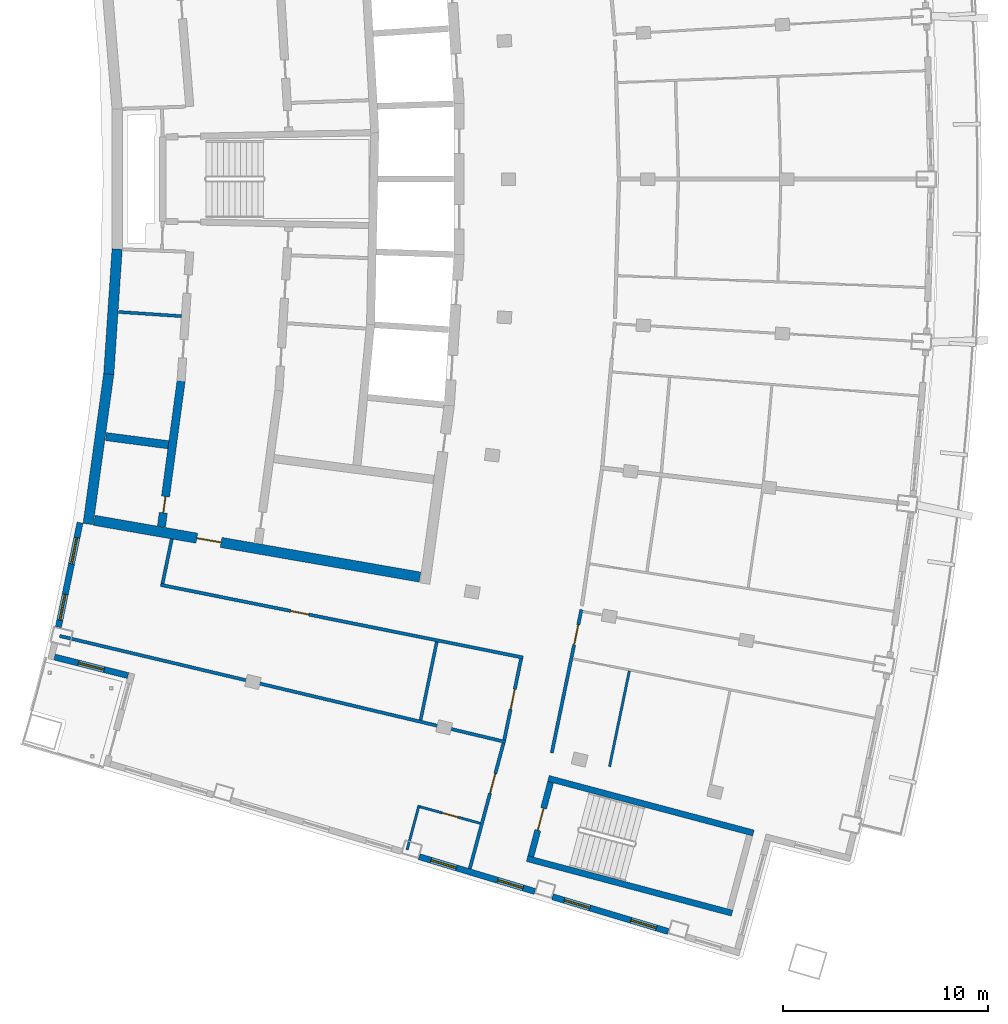
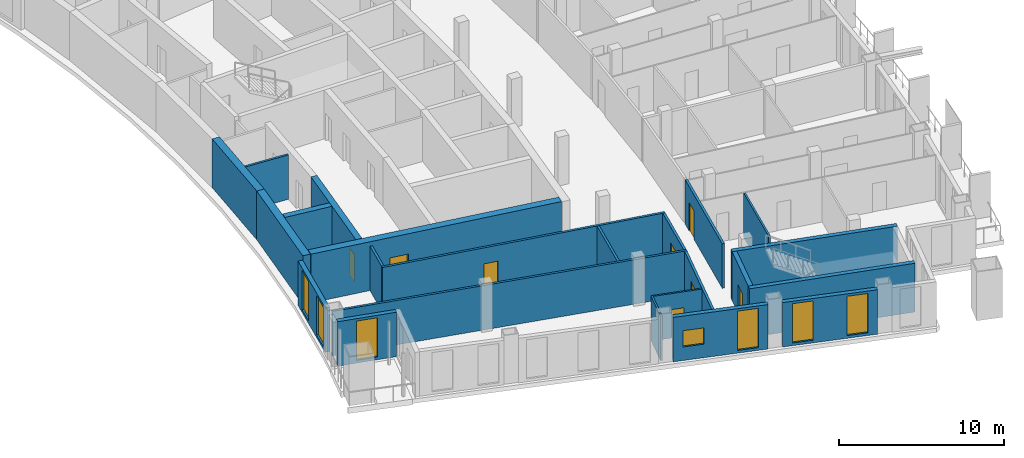
# One storey, part 7 of 17: 23 walls, 8 doors, 7 windows, 15 openings.
"""IFC4 building model written with IfcOpenShell, lengths in metres."""

from ifc_helpers import new_model, si_unit, direction, frame, frame_2d, origin, place, context, subcontext, project, spatial, rectangle, extrude, material, layer, layer_set, type_object, element, fill, save


model = new_model("IFC4")

# Units and contexts
model_context = context("Model", 3, precision=1e-05, world=origin(), true_north=direction((0.0, 1.0)))
body_context = subcontext(model_context, "Body", "Model", "MODEL_VIEW")
ifc_project = project(units=[si_unit("LENGTHUNIT", "METRE"), si_unit("AREAUNIT", "SQUARE_METRE"), si_unit("VOLUMEUNIT", "CUBIC_METRE"), si_unit("PLANEANGLEUNIT", "RADIAN"), si_unit("MASSUNIT", "GRAM", prefix="KILO")], contexts=[model_context])

# Site, building, storey
site_placement = place(None, origin())
site = spatial("IfcSite", under=ifc_project, at=site_placement, CompositionType="ELEMENT")
building_placement = place(site_placement, origin())
building = spatial("IfcBuilding", under=site, at=building_placement, Name="Alderwake Tower", CompositionType="ELEMENT")
storey_placement = place(building_placement, frame((0.0, 0.0, 270.800048828125)))
storey = spatial("IfcBuildingStorey", under=building, at=storey_placement, Name="L67", CompositionType="ELEMENT", Elevation=270.800048828125)

# Walls
ifc_material_1 = material(Name="Gypsum shaft wall system, rated")
ifc_layer_1 = layer(ifc_material_1, 0.14990234375)
ifc_layer_set_1 = layer_set([ifc_layer_1], Name="Core room partition 150")
wall_type_1 = type_object("IfcWallType", Name="Core room partition 150", PredefinedType="PARTITIONING", material=ifc_layer_set_1)
wall_1_placement = place(storey_placement, frame((16.7646484375, 54.512939453125, 0.0), z_axis=(0.0, 0.0, 1.0), x_axis=(0.997758318264, -0.066920388042, 0.0)))
element("IfcWall", 1, at=wall_1_placement, inside=storey, type_object=wall_type_1, Name="CW/L67/PR-70_+0", PredefinedType="PARTITIONING", context=body_context, shape_type="SweptSolid", body=[
    extrude(rectangle(XDim=3.068115234375, YDim=0.14990234375, at=frame_2d((1.5341796875, 0.0))), origin(), (0.0, 0.0, 1.0), 3.280029296875),
])
ifc_material_2 = material(Name="Concrete C70/85", Category="concrete")
ifc_layer_2 = layer(ifc_material_2, 0.5)
ifc_layer_set_2 = layer_set([ifc_layer_2], Name="Core wall outer 500 C70-85")
wall_type_2 = type_object("IfcWallType", Name="Core wall outer 500 C70-85", PredefinedType="SHEAR", material=ifc_layer_set_2)
wall_2_placement = place(storey_placement, frame((15.272216796875, 44.155029296875, 0.0), z_axis=(0.0, 0.0, 1.0), x_axis=(0.13632182908, 0.990664604655, 0.0)))
element("IfcWall", 2, at=wall_2_placement, inside=storey, type_object=wall_type_2, Name="Core wall CW.028", PredefinedType="SHEAR", context=body_context, shape_type="SweptSolid", body=[
    extrude(rectangle(XDim=7.408935546875, YDim=0.5, at=frame_2d((3.70458984375, 0.0))), origin(), (0.0, 0.0, 1.0), 3.599853515625),
])
wall_3_placement = place(storey_placement, frame((16.280517578125, 51.4765625, 0.0), z_axis=(0.0, 0.0, 1.0), x_axis=(0.066863022947, 0.997762164127, 0.0)))
element("IfcWall", 3, at=wall_3_placement, inside=storey, type_object=wall_type_2, Name="Core wall CW.027", PredefinedType="SHEAR", context=body_context, shape_type="SweptSolid", body=[
    extrude(rectangle(XDim=6.123291015625, YDim=0.5, at=frame_2d((3.0615234375, 0.0))), origin(), (0.0, 0.0, 1.0), 3.599853515625),
])

# Wall, opening, door
wall_4_placement = place(storey_placement, frame((31.47802734375, 41.564453125, 0.0), z_axis=(0.0, 0.0, 1.0), x_axis=(-0.985140274783, 0.171751678306, 0.0)))
wall_4 = element("IfcWall", 4, at=wall_4_placement, inside=storey, type_object=wall_type_2, Name="Core wall CW.072", PredefinedType="SHEAR", context=body_context, shape_type="SweptSolid", body=[
    extrude(rectangle(XDim=16.137939453125, YDim=0.5, at=frame_2d((8.06884765625, 0.0))), origin(), (0.0, 0.0, 1.0), 3.599853515625),
])
opening_1_placement = place(wall_4_placement, frame((9.859619140625, 0.0, 0.0)))
opening_1 = element("IfcOpeningElement", 5, at=opening_1_placement, cuts=wall_4, Name="Opening C003", PredefinedType="OPENING", context=body_context, shape_type="SweptSolid", body=[
    extrude(rectangle(XDim=1.199951171875, YDim=2.10009765625, at=frame_2d((0.60009765625, 1.050048828125))), frame((0.0, 0.260009765625, 0.0), z_axis=(0.0, -1.0, 0.0), x_axis=(1.0, 0.0, 0.0)), (0.0, 0.0, 1.0), 0.52001953125),
])
ifc_material_3 = material(Name="Steel-framed fire door leaf", Category="steel")
door_type_1 = type_object("IfcDoorType", Name="Core lobby exit door 1200 fire-rated", OperationType="SINGLE_SWING_LEFT", PredefinedType="DOOR", material=ifc_material_3)
door_1_placement = place(opening_1_placement, origin())
door_1 = element("IfcDoor", 6, at=door_1_placement, inside=storey, type_object=door_type_1, Name="Lobby door", OperationType="SINGLE_SWING_LEFT", OverallHeight=2.10009765625, OverallWidth=1.199951171875, PredefinedType="DOOR", context=body_context, shape_type="SweptSolid", body=[
    extrude(rectangle(XDim=1.199951171875, YDim=2.10009765625, at=frame_2d((0.60009765625, 1.050048828125))), frame((0.0, 0.02490234375, 0.0), z_axis=(0.0, -1.0, 0.0), x_axis=(1.0, 0.0, 0.0)), (0.0, 0.0, 1.0), 0.050048828125),
])
fill(opening_1, door_1)

ifc_material_4 = material(Name="Concrete C70/85", Category="concrete")
ifc_layer_3 = layer(ifc_material_4, 0.39990234375)
ifc_layer_set_3 = layer_set([ifc_layer_3], Name="Core wall spine 400 C70-85")
wall_type_3 = type_object("IfcWallType", Name="Core wall spine 400 C70-85", PredefinedType="SHEAR", material=ifc_layer_set_3)
wall_5_placement = place(storey_placement, frame((19.814697265625, 51.143798828125, 0.0), z_axis=(0.0, 0.0, 1.0), x_axis=(-0.133823115837, -0.991005233925, 0.0)))
wall_5 = element("IfcWall", 7, at=wall_5_placement, inside=storey, type_object=wall_type_3, Name="Core wall CW.033", PredefinedType="SHEAR", context=body_context, shape_type="SweptSolid", body=[
    extrude(rectangle(XDim=7.1787109375, YDim=0.39990234375, at=frame_2d((3.58935546875, 0.0))), origin(), (0.0, 0.0, 1.0), 3.599853515625),
])
opening_2_placement = place(wall_5_placement, frame((5.69677734375, 0.0, 0.0)))
opening_2 = element("IfcOpeningElement", 8, at=opening_2_placement, cuts=wall_5, Name="Opening C007", PredefinedType="OPENING", context=body_context, shape_type="SweptSolid", body=[
    extrude(rectangle(XDim=0.800048828125, YDim=2.0, at=frame_2d((0.39990234375, 1.0))), frame((0.0, 0.2099609375, 0.0), z_axis=(0.0, -1.0, 0.0), x_axis=(1.0, 0.0, 0.0)), (0.0, 0.0, 1.0), 0.419921875),
])
ifc_material_5 = material(Name="Painted steel leaf, rated", Category="steel")
door_type_2 = type_object("IfcDoorType", Name="Riser access door 800", OperationType="SINGLE_SWING_LEFT", PredefinedType="DOOR", material=ifc_material_5)
door_2_placement = place(opening_2_placement, origin())
door_2 = element("IfcDoor", 9, at=door_2_placement, inside=storey, type_object=door_type_2, Name="Riser access door", OperationType="SINGLE_SWING_LEFT", OverallHeight=2.0, OverallWidth=0.800048828125, PredefinedType="DOOR", context=body_context, shape_type="SweptSolid", body=[
    extrude(rectangle(XDim=0.800048828125, YDim=2.0, at=frame_2d((0.39990234375, 1.0))), frame((0.0, 0.02490234375, 0.0), z_axis=(0.0, -1.0, 0.0), x_axis=(1.0, 0.0, 0.0)), (0.0, 0.0, 1.0), 0.050048828125),
])
fill(opening_2, door_2)

# Walls
wall_6_placement = place(storey_placement, frame((16.142578125, 48.42529296875, 0.0), z_axis=(0.0, 0.0, 1.0), x_axis=(0.991550757989, -0.129719290517, 0.0)))
element("IfcWall", 10, at=wall_6_placement, inside=storey, type_object=wall_type_3, Name="Core wall CW.067", PredefinedType="SHEAR", context=body_context, shape_type="SweptSolid", body=[
    extrude(rectangle(XDim=3.0751953125, YDim=0.39990234375, at=frame_2d((1.53759765625, 0.0))), origin(), (0.0, 0.0, 1.0), 3.599853515625),
])
ifc_material_6 = material(Name="Concrete C70/85", Category="concrete")
ifc_layer_4 = layer(ifc_material_6, 0.300048828125)
ifc_layer_set_4 = layer_set([ifc_layer_4], Name="Core wall stair enclosure 300 C70-85")
wall_type_4 = type_object("IfcWallType", Name="Core wall stair enclosure 300 C70-85", PredefinedType="SHEAR", material=ifc_layer_set_4)
for number, where, z_axis, x_axis, name in (
    (11, (37.75390625, 31.731201171875, 0.0), (0.0, 0.0, 1.0), (0.966309214305, -0.257383958996, 0.0), "Core wall CW.086"),
    (12, (36.71142578125, 27.817626953125, 0.0), (0.0, 0.0, 1.0), (0.966309214305, -0.257383958996, 0.0), "Core wall CW.088"),
):
    element("IfcWall", number, at=place(storey_placement, frame(where, z_axis=z_axis, x_axis=x_axis)), inside=storey, type_object=wall_type_4, Name=name, PredefinedType="SHEAR", context=body_context, shape_type="SweptSolid", body=[
        extrude(rectangle(XDim=10.360107421875, YDim=0.300048828125, at=frame_2d((5.18017578125, 0.0))), origin(), (0.0, 0.0, 1.0), 3.599853515625),
    ])

# Wall, opening, door
wall_7_placement = place(storey_placement, frame((36.89501953125, 27.923828125, 0.0), z_axis=(0.0, 0.0, 1.0), x_axis=(0.257350630826, 0.966318090907, 0.0)))
wall_7 = element("IfcWall", 13, at=wall_7_placement, inside=storey, type_object=wall_type_4, Name="Core wall CW.087", PredefinedType="SHEAR", context=body_context, shape_type="SweptSolid", body=[
    extrude(rectangle(XDim=3.75, YDim=0.300048828125, at=frame_2d((1.875, 0.0))), origin(), (0.0, 0.0, 1.0), 3.599853515625),
])
opening_3_placement = place(wall_7_placement, frame((1.324951171875, 0.0, 0.0)))
opening_3 = element("IfcOpeningElement", 14, at=opening_3_placement, cuts=wall_7, Name="Opening C065", PredefinedType="OPENING", context=body_context, shape_type="SweptSolid", body=[
    extrude(rectangle(XDim=1.10009765625, YDim=2.10009765625, at=frame_2d((0.550048828125, 1.050048828125))), frame((0.0, 0.159912109375, 0.0), z_axis=(0.0, -1.0, 0.0), x_axis=(1.0, 0.0, 0.0)), (0.0, 0.0, 1.0), 0.320068359375),
])
ifc_material_7 = material(Name="Steel-framed fire door leaf", Category="steel")
door_type_3 = type_object("IfcDoorType", Name="Core stair door 1100 fire-rated", OperationType="SINGLE_SWING_LEFT", PredefinedType="DOOR", material=ifc_material_7)
door_3_placement = place(opening_3_placement, origin())
door_3 = element("IfcDoor", 15, at=door_3_placement, inside=storey, type_object=door_type_3, Name="Stair door", OperationType="SINGLE_SWING_LEFT", OverallHeight=2.10009765625, OverallWidth=1.10009765625, PredefinedType="DOOR", context=body_context, shape_type="SweptSolid", body=[
    extrude(rectangle(XDim=1.10009765625, YDim=2.10009765625, at=frame_2d((0.550048828125, 1.050048828125))), frame((0.0, 0.02490234375, 0.0), z_axis=(0.0, -1.0, 0.0), x_axis=(1.0, 0.0, 0.0)), (0.0, 0.0, 1.0), 0.050048828125),
])
fill(opening_3, door_3)

# Wall
ifc_material_8 = material(Name="Gypsum board on metal studs, rated")
ifc_layer_5 = layer(ifc_material_8, 0.159912109375)
ifc_layer_set_5 = layer_set([ifc_layer_5], Name="Corridor wall 160")
wall_type_5 = type_object("IfcWallType", Name="Corridor wall 160", PredefinedType="PARTITIONING", material=ifc_layer_set_5)
wall_8_placement = place(storey_placement, frame((13.884033203125, 38.68798828125, 0.0), z_axis=(0.0, 0.0, 1.0), x_axis=(0.972893462073, -0.231253781493, 0.0)))
element("IfcWall", 16, at=wall_8_placement, inside=storey, type_object=wall_type_5, Name="WL/L67/W06", PredefinedType="PARTITIONING", context=body_context, shape_type="SweptSolid", body=[
    extrude(rectangle(XDim=22.38037109375, YDim=0.159912109375, at=frame_2d((11.190185546875, 0.0))), origin(), (0.0, 0.0, 1.0), 3.280029296875),
])

# Wall, opening, door
wall_9_placement = place(storey_placement, frame((36.513427734375, 37.63427734375, 0.0), z_axis=(0.0, 0.0, 1.0), x_axis=(-0.980470254867, 0.1966674333, 0.0)))
wall_9 = element("IfcWall", 17, at=wall_9_placement, inside=storey, type_object=wall_type_5, Name="WL/L67/W07", PredefinedType="PARTITIONING", context=body_context, shape_type="SweptSolid", body=[
    extrude(rectangle(XDim=18.053466796875, YDim=0.159912109375, at=frame_2d((9.02685546875, 0.0))), origin(), (0.0, 0.0, 1.0), 3.280029296875),
])
opening_4_placement = place(wall_9_placement, frame((10.6767578125, 0.0, 0.0)))
opening_4 = element("IfcOpeningElement", 18, at=opening_4_placement, cuts=wall_9, Name="Opening R19-SBS1", PredefinedType="OPENING", context=body_context, shape_type="SweptSolid", body=[
    extrude(rectangle(XDim=0.89990234375, YDim=2.10009765625, at=frame_2d((0.449951171875, 1.050048828125))), frame((0.0, 0.08984375, 0.0), z_axis=(0.0, -1.0, 0.0), x_axis=(1.0, 0.0, 0.0)), (0.0, 0.0, 1.0), 0.179931640625),
])
ifc_material_9 = material(Name="Painted timber leaf", Category="wood")
door_type_4 = type_object("IfcDoorType", Name="Room door 900", OperationType="SINGLE_SWING_LEFT", PredefinedType="DOOR", material=ifc_material_9)
door_4_placement = place(opening_4_placement, origin())
door_4 = element("IfcDoor", 19, at=door_4_placement, inside=storey, type_object=door_type_4, Name="DR/L67/SBS1", OperationType="SINGLE_SWING_LEFT", OverallHeight=2.10009765625, OverallWidth=0.89990234375, PredefinedType="DOOR", context=body_context, shape_type="SweptSolid", body=[
    extrude(rectangle(XDim=0.89990234375, YDim=2.10009765625, at=frame_2d((0.449951171875, 1.050048828125))), frame((0.0, 0.02490234375, 0.0), z_axis=(0.0, -1.0, 0.0), x_axis=(1.0, 0.0, 0.0)), (0.0, 0.0, 1.0), 0.050048828125),
])
fill(opening_4, door_4)

# Wall
wall_10_placement = place(storey_placement, frame((19.35888671875, 43.430908203125, 0.0), z_axis=(0.0, 0.0, 1.0), x_axis=(-0.202554916658, -0.979270905183, 0.0)))
element("IfcWall", 20, at=wall_10_placement, inside=storey, type_object=wall_type_5, Name="WL/L67/W08", PredefinedType="PARTITIONING", context=body_context, shape_type="SweptSolid", body=[
    extrude(rectangle(XDim=2.229736328125, YDim=0.159912109375, at=frame_2d((1.11474609375, 0.0))), origin(), (0.0, 0.0, 1.0), 3.280029296875),
])

# Wall, opening, door
wall_11_placement = place(storey_placement, frame((33.912109375, 27.321044921875, 0.0), z_axis=(0.0, 0.0, 1.0), x_axis=(0.259370874835, 0.965777794986, 0.0)))
wall_11 = element("IfcWall", 21, at=wall_11_placement, inside=storey, type_object=wall_type_5, Name="WL/L67/W13", PredefinedType="PARTITIONING", context=body_context, shape_type="SweptSolid", body=[
    extrude(rectangle(XDim=6.349853515625, YDim=0.159912109375, at=frame_2d((3.1748046875, 0.0))), origin(), (0.0, 0.0, 1.0), 3.280029296875),
])
opening_5_placement = place(wall_11_placement, frame((3.811279296875, 0.0, 0.0)))
opening_5 = element("IfcOpeningElement", 22, at=opening_5_placement, cuts=wall_11, Name="Opening R19-U07.1", PredefinedType="OPENING", context=body_context, shape_type="SweptSolid", body=[
    extrude(rectangle(XDim=1.0, YDim=2.10009765625, at=frame_2d((0.5, 1.050048828125))), frame((0.0, 0.08984375, 0.0), z_axis=(0.0, -1.0, 0.0), x_axis=(1.0, 0.0, 0.0)), (0.0, 0.0, 1.0), 0.179931640625),
])
ifc_material_10 = material(Name="Solid timber leaf in steel frame", Category="steel")
door_type_5 = type_object("IfcDoorType", Name="Flat entrance door 1000 fire-rated", OperationType="SINGLE_SWING_LEFT", PredefinedType="DOOR", material=ifc_material_10)
door_5_placement = place(opening_5_placement, origin())
door_5 = element("IfcDoor", 23, at=door_5_placement, inside=storey, type_object=door_type_5, Name="DR/L67/U07.1", OperationType="SINGLE_SWING_LEFT", OverallHeight=2.10009765625, OverallWidth=1.0, PredefinedType="DOOR", context=body_context, shape_type="SweptSolid", body=[
    extrude(rectangle(XDim=1.0, YDim=2.10009765625, at=frame_2d((0.5, 1.050048828125))), frame((0.0, 0.02490234375, 0.0), z_axis=(0.0, -1.0, 0.0), x_axis=(1.0, 0.0, 0.0)), (0.0, 0.0, 1.0), 0.050048828125),
])
fill(opening_5, door_5)

wall_12_placement = place(storey_placement, frame((35.59619140625, 33.609375, 0.0), z_axis=(0.0, 0.0, 1.0), x_axis=(0.203245920818, 0.979127721838, 0.0)))
wall_12 = element("IfcWall", 24, at=wall_12_placement, inside=storey, type_object=wall_type_5, Name="WL/L67/W16", PredefinedType="PARTITIONING", context=body_context, shape_type="SweptSolid", body=[
    extrude(rectangle(XDim=4.046875, YDim=0.159912109375, at=frame_2d((2.0234375, 0.0))), origin(), (0.0, 0.0, 1.0), 3.280029296875),
])
opening_6_placement = place(wall_12_placement, frame((1.5234375, 0.0, 0.0)))
opening_6 = element("IfcOpeningElement", 25, at=opening_6_placement, cuts=wall_12, Name="Opening R19-SBS2", PredefinedType="OPENING", context=body_context, shape_type="SweptSolid", body=[
    extrude(rectangle(XDim=1.0, YDim=2.10009765625, at=frame_2d((0.5, 1.050048828125))), frame((0.0, 0.08984375, 0.0), z_axis=(0.0, -1.0, 0.0), x_axis=(1.0, 0.0, 0.0)), (0.0, 0.0, 1.0), 0.179931640625),
])
ifc_material_11 = material(Name="Steel-framed fire door leaf", Category="steel")
door_type_6 = type_object("IfcDoorType", Name="Plant room door 1000 fire-rated", OperationType="SINGLE_SWING_LEFT", PredefinedType="DOOR", material=ifc_material_11)
door_6_placement = place(opening_6_placement, origin())
door_6 = element("IfcDoor", 26, at=door_6_placement, inside=storey, type_object=door_type_6, Name="DR/L67/SBS2", OperationType="SINGLE_SWING_LEFT", OverallHeight=2.10009765625, OverallWidth=1.0, PredefinedType="DOOR", context=body_context, shape_type="SweptSolid", body=[
    extrude(rectangle(XDim=1.0, YDim=2.10009765625, at=frame_2d((0.5, 1.050048828125))), frame((0.0, 0.02490234375, 0.0), z_axis=(0.0, -1.0, 0.0), x_axis=(1.0, 0.0, 0.0)), (0.0, 0.0, 1.0), 0.050048828125),
])
fill(opening_6, door_6)

wall_13_placement = place(storey_placement, frame((39.3642578125, 39.975341796875, 0.0), z_axis=(0.0, 0.0, 1.0), x_axis=(-0.202490391407, -0.979284249535, 0.0)))
wall_13 = element("IfcWall", 27, at=wall_13_placement, inside=storey, type_object=wall_type_5, Name="WL/L67/W18", PredefinedType="PARTITIONING", context=body_context, shape_type="SweptSolid", body=[
    extrude(rectangle(XDim=7.147216796875, YDim=0.159912109375, at=frame_2d((3.57373046875, 0.0))), origin(), (0.0, 0.0, 1.0), 3.280029296875),
])
opening_7_placement = place(wall_13_placement, frame((0.7568359375, 0.0, 0.0)))
opening_7 = element("IfcOpeningElement", 28, at=opening_7_placement, cuts=wall_13, Name="Opening R19-U03.2", PredefinedType="OPENING", context=body_context, shape_type="SweptSolid", body=[
    extrude(rectangle(XDim=1.0, YDim=2.10009765625, at=frame_2d((0.5, 1.050048828125))), frame((0.0, 0.08984375, 0.0), z_axis=(0.0, -1.0, 0.0), x_axis=(1.0, 0.0, 0.0)), (0.0, 0.0, 1.0), 0.179931640625),
])
door_7_placement = place(opening_7_placement, origin())
door_7 = element("IfcDoor", 29, at=door_7_placement, inside=storey, type_object=door_type_5, Name="DR/L67/U03.2", OperationType="SINGLE_SWING_LEFT", OverallHeight=2.10009765625, OverallWidth=1.0, PredefinedType="DOOR", context=body_context, shape_type="SweptSolid", body=[
    extrude(rectangle(XDim=1.0, YDim=2.10009765625, at=frame_2d((0.5, 1.050048828125))), frame((0.0, 0.02490234375, 0.0), z_axis=(0.0, -1.0, 0.0), x_axis=(1.0, 0.0, 0.0)), (0.0, 0.0, 1.0), 0.050048828125),
])
fill(opening_7, door_7)

# Wall, openings, windows
ifc_material_12 = material(Name="Precast concrete C50/60 spandrel panel", Category="concrete")
ifc_layer_6 = layer(ifc_material_12, 0.300048828125)
ifc_layer_set_6 = layer_set([ifc_layer_6], Name="External wall EW1 Precast concrete C50/60 spandrel")
wall_type_6 = type_object("IfcWallType", Name="External wall EW1 Precast concrete C50/60 spandrel", PredefinedType="SOLIDWALL", material=ifc_layer_set_6)
wall_14_placement = place(storey_placement, frame((14.878173828125, 44.223388671875, 0.0), z_axis=(0.0, 0.0, 1.0), x_axis=(-0.202760516883, -0.979228355795, 0.0)))
wall_14 = element("IfcWall", 30, at=wall_14_placement, inside=storey, type_object=wall_type_6, Name="External wall 32", PredefinedType="SOLIDWALL", context=body_context, shape_type="SweptSolid", body=[
    extrude(rectangle(XDim=5.211181640625, YDim=0.300048828125, at=frame_2d((2.60546875, 0.0))), origin(), (0.0, 0.0, 1.0), 3.280029296875),
])
opening_8_placement = place(wall_14_placement, frame((0.75634765625, 0.0, 0.199951171875)))
opening_8 = element("IfcOpeningElement", 31, at=opening_8_placement, cuts=wall_14, Name="Opening W1", PredefinedType="OPENING", context=body_context, shape_type="SweptSolid", body=[
    extrude(rectangle(XDim=1.300048828125, YDim=2.89990234375, at=frame_2d((0.64990234375, 1.449951171875))), frame((0.0, 0.159912109375, 0.0), z_axis=(0.0, -1.0, 0.0), x_axis=(1.0, 0.0, 0.0)), (0.0, 0.0, 1.0), 0.320068359375),
])
opening_9_placement = place(wall_14_placement, frame((3.569091796875, 0.0, 0.199951171875)))
opening_9 = element("IfcOpeningElement", 32, at=opening_9_placement, cuts=wall_14, Name="Opening W1", PredefinedType="OPENING", context=body_context, shape_type="SweptSolid", body=[
    extrude(rectangle(XDim=1.300048828125, YDim=2.89990234375, at=frame_2d((0.64990234375, 1.449951171875))), frame((0.0, 0.159912109375, 0.0), z_axis=(0.0, -1.0, 0.0), x_axis=(1.0, 0.0, 0.0)), (0.0, 0.0, 1.0), 0.320068359375),
])
ifc_material_13 = material(Name="Bronze tinted glass in aluminium frame", Category="aluminium")
window_type_1 = type_object("IfcWindowType", Name="Window W1 tall fixed and vent", PartitioningType="DOUBLE_PANEL_VERTICAL", PredefinedType="WINDOW", material=ifc_material_13)
window_1_placement = place(opening_8_placement, origin())
window_1 = element("IfcWindow", 33, at=window_1_placement, inside=storey, type_object=window_type_1, Name="Window W1 tall fixed and vent", OverallHeight=2.89990234375, OverallWidth=1.300048828125, PartitioningType="DOUBLE_PANEL_VERTICAL", PredefinedType="WINDOW", context=body_context, shape_type="SweptSolid", body=[
    extrude(rectangle(XDim=1.300048828125, YDim=2.89990234375, at=frame_2d((0.64990234375, 1.449951171875))), frame((0.0, 0.030029296875, 0.0), z_axis=(0.0, -1.0, 0.0), x_axis=(1.0, 0.0, 0.0)), (0.0, 0.0, 1.0), 0.06005859375),
])
fill(opening_8, window_1)
window_2_placement = place(opening_9_placement, origin())
window_2 = element("IfcWindow", 34, at=window_2_placement, inside=storey, type_object=window_type_1, Name="Window W1 tall fixed and vent", OverallHeight=2.89990234375, OverallWidth=1.300048828125, PartitioningType="DOUBLE_PANEL_VERTICAL", PredefinedType="WINDOW", context=body_context, shape_type="SweptSolid", body=[
    extrude(rectangle(XDim=1.300048828125, YDim=2.89990234375, at=frame_2d((0.64990234375, 1.449951171875))), frame((0.0, 0.030029296875, 0.0), z_axis=(0.0, -1.0, 0.0), x_axis=(1.0, 0.0, 0.0)), (0.0, 0.0, 1.0), 0.06005859375),
])
fill(opening_9, window_2)

# Wall, opening, window
ifc_material_14 = material(Name="Bronze metal cladding on lightweight framing")
ifc_layer_7 = layer(ifc_material_14, 0.300048828125)
ifc_layer_set_7 = layer_set([ifc_layer_7], Name="External wall EW2 bronze metal cladding")
wall_type_7 = type_object("IfcWallType", Name="External wall EW2 bronze metal cladding", PredefinedType="SOLIDWALL", material=ifc_layer_set_7)
wall_15_placement = place(storey_placement, frame((13.633056640625, 37.660400390625, 0.0), z_axis=(0.0, 0.0, 1.0), x_axis=(0.969417366605, -0.245417948254, 0.0)))
wall_15 = element("IfcWall", 35, at=wall_15_placement, inside=storey, type_object=wall_type_7, Name="External wall 2", PredefinedType="SOLIDWALL", context=body_context, shape_type="SweptSolid", body=[
    extrude(rectangle(XDim=3.70556640625, YDim=0.300048828125, at=frame_2d((1.852783203125, 0.0))), origin(), (0.0, 0.0, 1.0), 3.280029296875),
])
opening_10_placement = place(wall_15_placement, frame((1.202880859375, 0.0, 0.199951171875)))
opening_10 = element("IfcOpeningElement", 36, at=opening_10_placement, cuts=wall_15, Name="Opening W1", PredefinedType="OPENING", context=body_context, shape_type="SweptSolid", body=[
    extrude(rectangle(XDim=1.300048828125, YDim=2.89990234375, at=frame_2d((0.64990234375, 1.449951171875))), frame((0.0, 0.159912109375, 0.0), z_axis=(0.0, -1.0, 0.0), x_axis=(1.0, 0.0, 0.0)), (0.0, 0.0, 1.0), 0.320068359375),
])
window_3_placement = place(opening_10_placement, origin())
window_3 = element("IfcWindow", 37, at=window_3_placement, inside=storey, type_object=window_type_1, Name="Window W1 tall fixed and vent", OverallHeight=2.89990234375, OverallWidth=1.300048828125, PartitioningType="DOUBLE_PANEL_VERTICAL", PredefinedType="WINDOW", context=body_context, shape_type="SweptSolid", body=[
    extrude(rectangle(XDim=1.300048828125, YDim=2.89990234375, at=frame_2d((0.64990234375, 1.449951171875))), frame((0.0, 0.030029296875, 0.0), z_axis=(0.0, -1.0, 0.0), x_axis=(1.0, 0.0, 0.0)), (0.0, 0.0, 1.0), 0.06005859375),
])
fill(opening_10, window_3)

# Wall, openings, windows
wall_16_placement = place(storey_placement, frame((31.441162109375, 27.90771484375, 0.0), z_axis=(0.0, 0.0, 1.0), x_axis=(0.957753322858, -0.287590981349, 0.0)))
wall_16 = element("IfcWall", 38, at=wall_16_placement, inside=storey, type_object=wall_type_7, Name="External wall 6", PredefinedType="SOLIDWALL", context=body_context, shape_type="SweptSolid", body=[
    extrude(rectangle(XDim=5.896484375, YDim=0.300048828125, at=frame_2d((2.9482421875, 0.0))), origin(), (0.0, 0.0, 1.0), 3.280029296875),
])
opening_11_placement = place(wall_16_placement, frame((0.59814453125, 0.0, 1.0)))
opening_11 = element("IfcOpeningElement", 39, at=opening_11_placement, cuts=wall_16, Name="Opening W2", PredefinedType="OPENING", context=body_context, shape_type="SweptSolid", body=[
    extrude(rectangle(XDim=1.300048828125, YDim=1.199951171875, at=frame_2d((0.64990234375, 0.60009765625))), frame((0.0, 0.159912109375, 0.0), z_axis=(0.0, -1.0, 0.0), x_axis=(1.0, 0.0, 0.0)), (0.0, 0.0, 1.0), 0.320068359375),
])
opening_12_placement = place(wall_16_placement, frame((3.998291015625, 0.0, 0.199951171875)))
opening_12 = element("IfcOpeningElement", 40, at=opening_12_placement, cuts=wall_16, Name="Opening W1", PredefinedType="OPENING", context=body_context, shape_type="SweptSolid", body=[
    extrude(rectangle(XDim=1.300048828125, YDim=2.89990234375, at=frame_2d((0.64990234375, 1.449951171875))), frame((0.0, 0.159912109375, 0.0), z_axis=(0.0, -1.0, 0.0), x_axis=(1.0, 0.0, 0.0)), (0.0, 0.0, 1.0), 0.320068359375),
])
window_4_placement = place(opening_12_placement, origin())
window_4 = element("IfcWindow", 41, at=window_4_placement, inside=storey, type_object=window_type_1, Name="Window W1 tall fixed and vent", OverallHeight=2.89990234375, OverallWidth=1.300048828125, PartitioningType="DOUBLE_PANEL_VERTICAL", PredefinedType="WINDOW", context=body_context, shape_type="SweptSolid", body=[
    extrude(rectangle(XDim=1.300048828125, YDim=2.89990234375, at=frame_2d((0.64990234375, 1.449951171875))), frame((0.0, 0.030029296875, 0.0), z_axis=(0.0, -1.0, 0.0), x_axis=(1.0, 0.0, 0.0)), (0.0, 0.0, 1.0), 0.06005859375),
])
fill(opening_12, window_4)
ifc_material_15 = material(Name="Bronze tinted glass in aluminium frame", Category="aluminium")
window_type_2 = type_object("IfcWindowType", Name="Window W2 kitchen and bath", PartitioningType="SINGLE_PANEL", PredefinedType="WINDOW", material=ifc_material_15)
window_5_placement = place(opening_11_placement, origin())
window_5 = element("IfcWindow", 42, at=window_5_placement, inside=storey, type_object=window_type_2, Name="Window W2 kitchen and bath", OverallHeight=1.199951171875, OverallWidth=1.300048828125, PartitioningType="SINGLE_PANEL", PredefinedType="WINDOW", context=body_context, shape_type="SweptSolid", body=[
    extrude(rectangle(XDim=1.300048828125, YDim=1.199951171875, at=frame_2d((0.64990234375, 0.60009765625))), frame((0.0, 0.030029296875, 0.0), z_axis=(0.0, -1.0, 0.0), x_axis=(1.0, 0.0, 0.0)), (0.0, 0.0, 1.0), 0.06005859375),
])
fill(opening_11, window_5)

wall_17_placement = place(storey_placement, frame((37.953857421875, 25.952392578125, 0.0), z_axis=(0.0, 0.0, 1.0), x_axis=(0.957760170947, -0.287568174436, 0.0)))
wall_17 = element("IfcWall", 43, at=wall_17_placement, inside=storey, type_object=wall_type_7, Name="External wall 7", PredefinedType="SOLIDWALL", context=body_context, shape_type="SweptSolid", body=[
    extrude(rectangle(XDim=5.89697265625, YDim=0.300048828125, at=frame_2d((2.948486328125, 0.0))), origin(), (0.0, 0.0, 1.0), 3.280029296875),
])
opening_13_placement = place(wall_17_placement, frame((0.598388671875, 0.0, 0.199951171875)))
opening_13 = element("IfcOpeningElement", 44, at=opening_13_placement, cuts=wall_17, Name="Opening W1", PredefinedType="OPENING", context=body_context, shape_type="SweptSolid", body=[
    extrude(rectangle(XDim=1.300048828125, YDim=2.89990234375, at=frame_2d((0.64990234375, 1.449951171875))), frame((0.0, 0.159912109375, 0.0), z_axis=(0.0, -1.0, 0.0), x_axis=(1.0, 0.0, 0.0)), (0.0, 0.0, 1.0), 0.320068359375),
])
opening_14_placement = place(wall_17_placement, frame((3.998291015625, 0.0, 0.199951171875)))
opening_14 = element("IfcOpeningElement", 45, at=opening_14_placement, cuts=wall_17, Name="Opening W1", PredefinedType="OPENING", context=body_context, shape_type="SweptSolid", body=[
    extrude(rectangle(XDim=1.300048828125, YDim=2.89990234375, at=frame_2d((0.64990234375, 1.449951171875))), frame((0.0, 0.159912109375, 0.0), z_axis=(0.0, -1.0, 0.0), x_axis=(1.0, 0.0, 0.0)), (0.0, 0.0, 1.0), 0.320068359375),
])
window_6_placement = place(opening_13_placement, origin())
window_6 = element("IfcWindow", 46, at=window_6_placement, inside=storey, type_object=window_type_1, Name="Window W1 tall fixed and vent", OverallHeight=2.89990234375, OverallWidth=1.300048828125, PartitioningType="DOUBLE_PANEL_VERTICAL", PredefinedType="WINDOW", context=body_context, shape_type="SweptSolid", body=[
    extrude(rectangle(XDim=1.300048828125, YDim=2.89990234375, at=frame_2d((0.64990234375, 1.449951171875))), frame((0.0, 0.030029296875, 0.0), z_axis=(0.0, -1.0, 0.0), x_axis=(1.0, 0.0, 0.0)), (0.0, 0.0, 1.0), 0.06005859375),
])
fill(opening_13, window_6)
window_7_placement = place(opening_14_placement, origin())
window_7 = element("IfcWindow", 47, at=window_7_placement, inside=storey, type_object=window_type_1, Name="Window W1 tall fixed and vent", OverallHeight=2.89990234375, OverallWidth=1.300048828125, PartitioningType="DOUBLE_PANEL_VERTICAL", PredefinedType="WINDOW", context=body_context, shape_type="SweptSolid", body=[
    extrude(rectangle(XDim=1.300048828125, YDim=2.89990234375, at=frame_2d((0.64990234375, 1.449951171875))), frame((0.0, 0.030029296875, 0.0), z_axis=(0.0, -1.0, 0.0), x_axis=(1.0, 0.0, 0.0)), (0.0, 0.0, 1.0), 0.06005859375),
])
fill(opening_14, window_7)

# Walls
ifc_material_16 = material(Name="Gypsum shaft wall system, rated")
ifc_layer_8 = layer(ifc_material_16, 0.14990234375)
ifc_layer_set_8 = layer_set([ifc_layer_8], Name="Riser and shaft wall 150")
wall_type_8 = type_object("IfcWallType", Name="Riser and shaft wall 150", PredefinedType="PARTITIONING", material=ifc_layer_set_8)
wall_18_placement = place(storey_placement, frame((31.51025390625, 34.581298828125, 0.0), z_axis=(0.0, 0.0, 1.0), x_axis=(0.202642899892, 0.979252702383, 0.0)))
element("IfcWall", 48, at=wall_18_placement, inside=storey, type_object=wall_type_8, Name="WL/L67/W04", PredefinedType="PARTITIONING", context=body_context, shape_type="SweptSolid", body=[
    extrude(rectangle(XDim=3.896240234375, YDim=0.14990234375, at=frame_2d((1.9482421875, 0.0))), origin(), (0.0, 0.0, 1.0), 3.280029296875),
])
ifc_material_17 = material(Name="Moisture resistant gypsum board on metal studs")
ifc_layer_9 = layer(ifc_material_17, 0.1201171875)
ifc_layer_set_9 = layer_set([ifc_layer_9], Name="Wet room partition 120")
wall_type_9 = type_object("IfcWallType", Name="Wet room partition 120", PredefinedType="PARTITIONING", material=ifc_layer_set_9)
wall_19_placement = place(storey_placement, frame((31.4345703125, 30.4208984375, 0.0), z_axis=(0.0, 0.0, 1.0), x_axis=(-0.259480612243, -0.965748317042, 0.0)))
element("IfcWall", 49, at=wall_19_placement, inside=storey, type_object=wall_type_9, Name="WL/L67/W27", PredefinedType="PARTITIONING", context=body_context, shape_type="SweptSolid", body=[
    extrude(rectangle(XDim=2.25634765625, YDim=0.1201171875, at=frame_2d((1.128173828125, 0.0))), origin(), (0.0, 0.0, 1.0), 3.280029296875),
])

# Wall, opening, door
wall_20_placement = place(storey_placement, frame((34.42578125, 29.5380859375, 0.0), z_axis=(0.0, 0.0, 1.0), x_axis=(-0.964362903476, 0.264583050097, 0.0)))
wall_20 = element("IfcWall", 50, at=wall_20_placement, inside=storey, type_object=wall_type_9, Name="WL/L67/W29", PredefinedType="PARTITIONING", context=body_context, shape_type="SweptSolid", body=[
    extrude(rectangle(XDim=3.057861328125, YDim=0.1201171875, at=frame_2d((1.52880859375, 0.0))), origin(), (0.0, 0.0, 1.0), 3.280029296875),
])
opening_15_placement = place(wall_20_placement, frame((1.12890625, 0.0, 0.0)))
opening_15 = element("IfcOpeningElement", 51, at=opening_15_placement, cuts=wall_20, Name="Opening R19-U07.2", PredefinedType="OPENING", context=body_context, shape_type="SweptSolid", body=[
    extrude(rectangle(XDim=0.800048828125, YDim=2.10009765625, at=frame_2d((0.39990234375, 1.050048828125))), frame((0.0, 0.070068359375, 0.0), z_axis=(0.0, -1.0, 0.0), x_axis=(1.0, 0.0, 0.0)), (0.0, 0.0, 1.0), 0.14013671875),
])
ifc_material_18 = material(Name="Painted timber leaf", Category="wood")
door_type_7 = type_object("IfcDoorType", Name="Bathroom door 800", OperationType="SINGLE_SWING_LEFT", PredefinedType="DOOR", material=ifc_material_18)
door_8_placement = place(opening_15_placement, origin())
door_8 = element("IfcDoor", 52, at=door_8_placement, inside=storey, type_object=door_type_7, Name="DR/L67/U07.2", OperationType="SINGLE_SWING_LEFT", OverallHeight=2.10009765625, OverallWidth=0.800048828125, PredefinedType="DOOR", context=body_context, shape_type="SweptSolid", body=[
    extrude(rectangle(XDim=0.800048828125, YDim=2.10009765625, at=frame_2d((0.39990234375, 1.050048828125))), frame((0.0, 0.02490234375, 0.0), z_axis=(0.0, -1.0, 0.0), x_axis=(1.0, 0.0, 0.0)), (0.0, 0.0, 1.0), 0.050048828125),
])
fill(opening_15, door_8)

# Wall
wall_21_placement = place(storey_placement, frame((40.737060546875, 32.303955078125, 0.0), z_axis=(0.0, 0.0, 1.0), x_axis=(0.202548156077, 0.979272303535, 0.0)))
element("IfcWall", 53, at=wall_21_placement, inside=storey, type_object=wall_type_9, Name="WL/L67/W30", PredefinedType="PARTITIONING", context=body_context, shape_type="SweptSolid", body=[
    extrude(rectangle(XDim=4.778076171875, YDim=0.1201171875, at=frame_2d((2.38916015625, 0.0))), origin(), (0.0, 0.0, 1.0), 3.280029296875),
])

save(model, "model.ifc")
